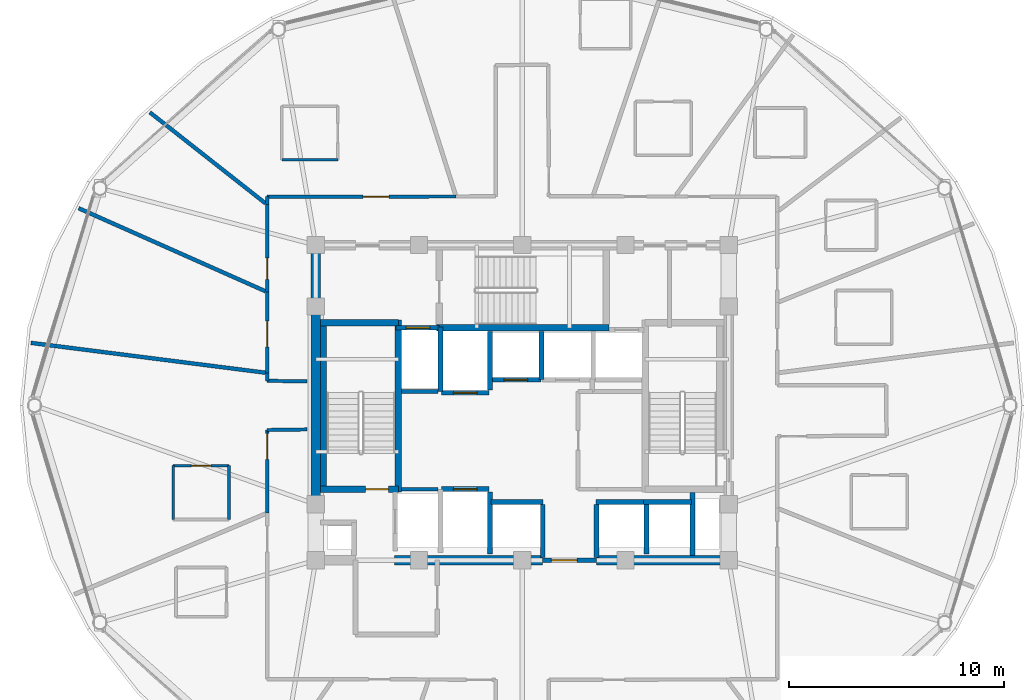
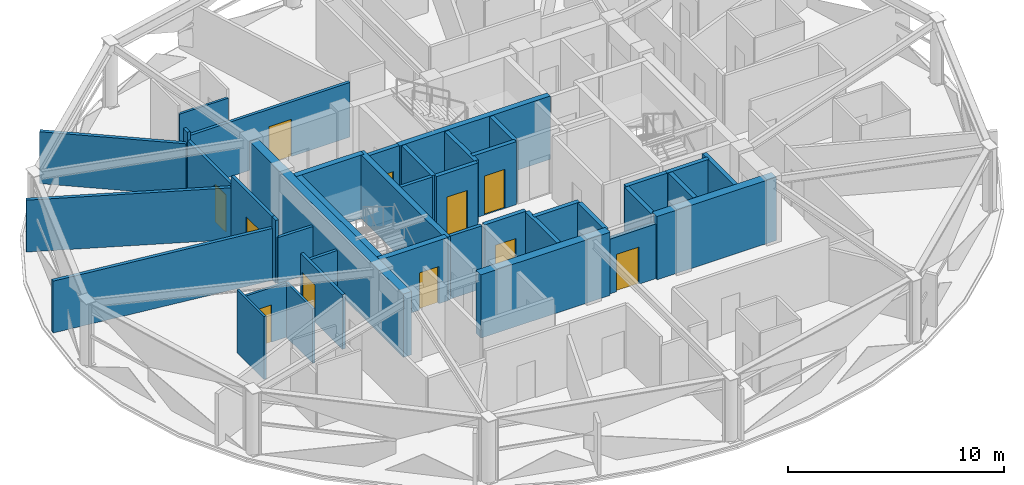
# One storey, part 23 of 30: 41 walls, 11 doors, 11 openings.
"""IFC4 building model written with IfcOpenShell, lengths in metres."""

from ifc_helpers import new_model, si_unit, direction, frame, frame_2d, origin, place, context, subcontext, project, spatial, rectangle, extrude, material, layer, layer_set, type_object, element, fill, save


model = new_model("IFC4")

# Units and contexts
model_context = context("Model", 3, precision=1e-05, world=origin(), true_north=direction((0.0, 1.0)))
body_context = subcontext(model_context, "Body", "Model", "MODEL_VIEW")
ifc_project = project(units=[si_unit("LENGTHUNIT", "METRE"), si_unit("AREAUNIT", "SQUARE_METRE"), si_unit("VOLUMEUNIT", "CUBIC_METRE"), si_unit("PLANEANGLEUNIT", "RADIAN"), si_unit("MASSUNIT", "GRAM", prefix="KILO")], contexts=[model_context])

# Site, building, storey
site_placement = place(None, origin())
site = spatial("IfcSite", under=ifc_project, at=site_placement, CompositionType="ELEMENT")
building_placement = place(site_placement, origin())
building = spatial("IfcBuilding", under=site, at=building_placement, Name="Vantalir Tower", CompositionType="ELEMENT")
storey_placement = place(building_placement, frame((0.0, 0.0, 193.64990234375)))
storey = spatial("IfcBuildingStorey", under=building, at=storey_placement, Name="L48", CompositionType="ELEMENT", Elevation=193.64990234375)

# Wall
ifc_material_1 = material(Name="Moisture-resistant en-suite partition", Category="gypsum")
ifc_layer_1 = layer(ifc_material_1, 0.125)
ifc_layer_set_1 = layer_set([ifc_layer_1], Name="Moisture-resistant en-suite partition")
wall_type_1 = type_object("IfcWallType", Name="WL-BATH-125", PredefinedType="PARTITIONING", material=ifc_layer_set_1)
wall_1_placement = place(storey_placement, frame((20.322998046875, 36.4130859375, 0.0), z_axis=(0.0, 0.0, 1.0), x_axis=(1.0, 0.0, 0.0)))
element("IfcWall", 1, at=wall_1_placement, inside=storey, type_object=wall_type_1, Name="L48 En-suite 06 South Wall", PredefinedType="PARTITIONING", context=body_context, shape_type="SweptSolid", body=[
    extrude(rectangle(XDim=2.60009765625, YDim=0.125, at=frame_2d((1.300048828125, 0.0))), origin(), (0.0, 0.0, 1.0), 3.0810546875),
])

# Wall, opening, door
wall_2_placement = place(storey_placement, frame((15.26806640625, 22.197021484375, 0.0), z_axis=(0.0, 0.0, 1.0), x_axis=(1.0, 0.0, 0.0)))
wall_2 = element("IfcWall", 2, at=wall_2_placement, inside=storey, type_object=wall_type_1, Name="L48 En-suite 09 North Wall", PredefinedType="PARTITIONING", context=body_context, shape_type="SweptSolid", body=[
    extrude(rectangle(XDim=2.599853515625, YDim=0.125, at=frame_2d((1.2998046875, 0.0))), origin(), (0.0, 0.0, 1.0), 3.0810546875),
])
opening_1_placement = place(wall_2_placement, frame((0.85009765625, 0.0, 0.0)))
opening_1 = element("IfcOpeningElement", 3, at=opening_1_placement, cuts=wall_2, Name="Opening D-WC", PredefinedType="OPENING", context=body_context, shape_type="SweptSolid", body=[
    extrude(rectangle(XDim=0.89990234375, YDim=2.10009765625, at=frame_2d((0.449951171875, 1.050048828125))), frame((0.0, 0.072509765625, 0.0), z_axis=(0.0, -1.0, 0.0), x_axis=(1.0, 0.0, 0.0)), (0.0, 0.0, 1.0), 0.14501953125),
])
ifc_material_2 = material(Name="Moisture-resistant hardwood door", Category="wood")
door_type_1 = type_object("IfcDoorType", Name="DR-ENSUITE-900", OperationType="NOTDEFINED", PredefinedType="DOOR", material=ifc_material_2)
door_1_placement = place(opening_1_placement, frame((0.89990234375, 0.0, 0.0), z_axis=(0.0, 0.0, 1.0), x_axis=(-1.0, 0.0, 0.0)))
door_1 = element("IfcDoor", 4, at=door_1_placement, inside=storey, type_object=door_type_1, Name="L48 En-suite 09 Door", OperationType="SINGLE_SWING_RIGHT", OverallHeight=2.10009765625, OverallWidth=0.89990234375, PredefinedType="DOOR", context=body_context, shape_type="SweptSolid", body=[
    extrude(rectangle(XDim=0.89990234375, YDim=2.10009765625, at=frame_2d((0.449951171875, 1.050048828125))), frame((0.0, 0.02490234375, 0.0), z_axis=(0.0, -1.0, 0.0), x_axis=(1.0, 0.0, 0.0)), (0.0, 0.0, 1.0), 0.050048828125),
])
fill(opening_1, door_1)

# Walls
wall_3_placement = place(storey_placement, frame((15.26806640625, 19.697021484375, 0.0), z_axis=(0.0, 0.0, 1.0), x_axis=(0.0, 1.0, 0.0)))
element("IfcWall", 5, at=wall_3_placement, inside=storey, type_object=wall_type_1, Name="L48 En-suite 09 West Wall", PredefinedType="PARTITIONING", context=body_context, shape_type="SweptSolid", body=[
    extrude(rectangle(XDim=2.5, YDim=0.125, at=frame_2d((1.25, 0.0))), origin(), (0.0, 0.0, 1.0), 3.550048828125),
])
wall_4_placement = place(storey_placement, frame((17.867919921875, 19.697021484375, 0.0), z_axis=(0.0, 0.0, 1.0), x_axis=(0.0, 1.0, 0.0)))
element("IfcWall", 6, at=wall_4_placement, inside=storey, type_object=wall_type_1, Name="L48 En-suite 09 East Wall", PredefinedType="PARTITIONING", context=body_context, shape_type="SweptSolid", body=[
    extrude(rectangle(XDim=2.5, YDim=0.125, at=frame_2d((1.25, 0.0))), origin(), (0.0, 0.0, 1.0), 3.0810546875),
])
ifc_material_3 = material(Name="Concrete C50/60", Category="concrete")
ifc_layer_2 = layer(ifc_material_3, 0.449951171875)
ifc_layer_set_2 = layer_set([ifc_layer_2], Name="Concrete C50/60")
wall_type_2 = type_object("IfcWallType", Name="WL-CORE-450", PredefinedType="SHEAR", material=ifc_layer_set_2)
wall_5_placement = place(storey_placement, frame((25.550048828125, 17.800048828125, 0.0), z_axis=(0.0, 0.0, 1.0), x_axis=(1.0, 0.0, 0.0)))
element("IfcWall", 7, at=wall_5_placement, inside=storey, type_object=wall_type_2, Name="L48 Core Shear Wall South-Mid", PredefinedType="SHEAR", context=body_context, shape_type="SweptSolid", body=[
    extrude(rectangle(XDim=6.89990234375, YDim=0.449951171875, at=frame_2d((3.449951171875, 0.0))), origin(), (0.0, 0.0, 1.0), 3.570068359375),
])
wall_6_placement = place(storey_placement, frame((34.949951171875, 17.800048828125, 0.0), z_axis=(0.0, 0.0, 1.0), x_axis=(1.0, 0.0, 0.0)))
element("IfcWall", 8, at=wall_6_placement, inside=storey, type_object=wall_type_2, Name="L48 Core Shear Wall South-East", PredefinedType="SHEAR", context=body_context, shape_type="SweptSolid", body=[
    extrude(rectangle(XDim=6.375, YDim=0.449951171875, at=frame_2d((3.1875, 0.0))), origin(), (0.0, 0.0, 1.0), 3.570068359375),
])
wall_7_placement = place(storey_placement, frame((21.89990234375, 18.02490234375, 0.0), z_axis=(0.0, 0.0, 1.0), x_axis=(0.0, 1.0, 0.0)))
element("IfcWall", 9, at=wall_7_placement, inside=storey, type_object=wall_type_2, Name="L48 Core Shear Wall West", PredefinedType="SHEAR", context=body_context, shape_type="SweptSolid", body=[
    extrude(rectangle(XDim=14.2001953125, YDim=0.449951171875, at=frame_2d((7.10009765625, 0.0))), origin(), (0.0, 0.0, 1.0), 3.570068359375),
])
ifc_material_4 = material(Name="Fire-rated hotel corridor acoustic partition", Category="gypsum")
ifc_layer_3 = layer(ifc_material_4, 0.159912109375)
ifc_layer_set_3 = layer_set([ifc_layer_3], Name="Fire-rated hotel corridor acoustic partition")
wall_type_3 = type_object("IfcWallType", Name="WL-CORR-160", PredefinedType="PARTITIONING", material=ifc_layer_set_3)
wall_8_placement = place(storey_placement, frame((21.4951171875, 26.116943359375, 0.0), z_axis=(0.0, 0.0, 1.0), x_axis=(-0.999908537082, 0.013524698532, 0.0)))
element("IfcWall", 10, at=wall_8_placement, inside=storey, type_object=wall_type_3, Name="L48 Corridor Partition 01", PredefinedType="PARTITIONING", context=body_context, shape_type="SweptSolid", body=[
    extrude(rectangle(XDim=1.859375, YDim=0.159912109375, at=frame_2d((0.9296875, 0.0))), origin(), (0.0, 0.0, 1.0), 2.59521484375),
])
wall_9_placement = place(storey_placement, frame((19.635986328125, 26.14208984375, 0.0), z_axis=(0.0, 0.0, 1.0), x_axis=(0.0, 1.0, 0.0)))
element("IfcWall", 11, at=wall_9_placement, inside=storey, type_object=wall_type_3, Name="L48 Corridor Partition 02", PredefinedType="PARTITIONING", context=body_context, shape_type="SweptSolid", body=[
    extrude(rectangle(XDim=0.366943359375, YDim=0.159912109375, at=frame_2d((0.18359375, 0.0))), origin(), (0.0, 0.0, 1.0), 3.550048828125),
])

# Wall, opening, door
wall_10_placement = place(storey_placement, frame((19.635986328125, 26.509033203125, 0.0), z_axis=(0.0, 0.0, 1.0), x_axis=(0.001038353649, 0.999999460911, 0.0)))
wall_10 = element("IfcWall", 12, at=wall_10_placement, inside=storey, type_object=wall_type_3, Name="L48 Corridor Partition 03", PredefinedType="PARTITIONING", context=body_context, shape_type="SweptSolid", body=[
    extrude(rectangle(XDim=3.761962890625, YDim=0.159912109375, at=frame_2d((1.880859375, 0.0))), origin(), (0.0, 0.0, 1.0), 3.550048828125),
])
opening_2_placement = place(wall_10_placement, frame((1.2060546875, 0.0, 0.0)))
opening_2 = element("IfcOpeningElement", 13, at=opening_2_placement, cuts=wall_10, Name="Opening D-STE", PredefinedType="OPENING", context=body_context, shape_type="SweptSolid", body=[
    extrude(rectangle(XDim=1.199951171875, YDim=2.10009765625, at=frame_2d((0.60009765625, 1.050048828125))), frame((0.0, 0.08984375, 0.0), z_axis=(0.0, -1.0, 0.0), x_axis=(1.0, 0.0, 0.0)), (0.0, 0.0, 1.0), 0.179931640625),
])
ifc_material_5 = material(Name="Solid-core teak veneer suite entrance door", Category="wood")
door_type_2 = type_object("IfcDoorType", Name="DR-SUITE-ENTRY-1200", OperationType="NOTDEFINED", PredefinedType="DOOR", material=ifc_material_5)
door_2_placement = place(opening_2_placement, origin())
door_2 = element("IfcDoor", 14, at=door_2_placement, inside=storey, type_object=door_type_2, Name="L48 Executive Sky Boardroom 08 Door", OperationType="SINGLE_SWING_RIGHT", OverallHeight=2.10009765625, OverallWidth=1.199951171875, PredefinedType="DOOR", context=body_context, shape_type="SweptSolid", body=[
    extrude(rectangle(XDim=1.199951171875, YDim=2.10009765625, at=frame_2d((0.60009765625, 1.050048828125))), frame((0.0, 0.02490234375, 0.0), z_axis=(0.0, -1.0, 0.0), x_axis=(1.0, 0.0, 0.0)), (0.0, 0.0, 1.0), 0.050048828125),
])
fill(opening_2, door_2)

wall_11_placement = place(storey_placement, frame((19.639892578125, 30.27099609375, 0.0), z_axis=(0.0, 0.0, 1.0), x_axis=(0.001022740411, 0.999999477001, 0.0)))
wall_11 = element("IfcWall", 15, at=wall_11_placement, inside=storey, type_object=wall_type_3, Name="L48 Corridor Partition 04", PredefinedType="PARTITIONING", context=body_context, shape_type="SweptSolid", body=[
    extrude(rectangle(XDim=4.05810546875, YDim=0.159912109375, at=frame_2d((2.029052734375, 0.0))), origin(), (0.0, 0.0, 1.0), 3.0810546875),
])
opening_3_placement = place(wall_11_placement, frame((0.592041015625, 0.0, 0.0)))
opening_3 = element("IfcOpeningElement", 16, at=opening_3_placement, cuts=wall_11, Name="Opening D-GUEST", PredefinedType="OPENING", context=body_context, shape_type="SweptSolid", body=[
    extrude(rectangle(XDim=1.0, YDim=2.10009765625, at=frame_2d((0.5, 1.050048828125))), frame((0.0, 0.08984375, 0.0), z_axis=(0.0, -1.0, 0.0), x_axis=(1.0, 0.0, 0.0)), (0.0, 0.0, 1.0), 0.179931640625),
])
ifc_material_6 = material(Name="Solid-core teak veneer acoustic fire door", Category="wood")
door_type_3 = type_object("IfcDoorType", Name="DR-GUEST-ENTRY-1000", OperationType="NOTDEFINED", PredefinedType="DOOR", material=ifc_material_6)
door_3_placement = place(opening_3_placement, origin())
door_3 = element("IfcDoor", 17, at=door_3_placement, inside=storey, type_object=door_type_3, Name="L48 Executive Business Study 07 Door", OperationType="SINGLE_SWING_LEFT", OverallHeight=2.10009765625, OverallWidth=1.0, PredefinedType="DOOR", context=body_context, shape_type="SweptSolid", body=[
    extrude(rectangle(XDim=1.0, YDim=2.10009765625, at=frame_2d((0.5, 1.050048828125))), frame((0.0, 0.02490234375, 0.0), z_axis=(0.0, -1.0, 0.0), x_axis=(1.0, 0.0, 0.0)), (0.0, 0.0, 1.0), 0.050048828125),
])
fill(opening_3, door_3)

# Wall
wall_12_placement = place(storey_placement, frame((19.64404296875, 34.3291015625, 0.0), z_axis=(0.0, 0.0, 1.0), x_axis=(0.0, 1.0, 0.0)))
element("IfcWall", 18, at=wall_12_placement, inside=storey, type_object=wall_type_3, Name="L48 Corridor Partition 05", PredefinedType="PARTITIONING", context=body_context, shape_type="SweptSolid", body=[
    extrude(rectangle(XDim=0.370849609375, YDim=0.159912109375, at=frame_2d((0.185546875, 0.0))), origin(), (0.0, 0.0, 1.0), 3.550048828125),
])

# Wall, opening, door
wall_13_placement = place(storey_placement, frame((19.64404296875, 34.699951171875, 0.0), z_axis=(0.0, 0.0, 1.0), x_axis=(0.999999071576, 0.001362661768, 0.0)))
wall_13 = element("IfcWall", 19, at=wall_13_placement, inside=storey, type_object=wall_type_3, Name="L48 Corridor Partition 06", PredefinedType="PARTITIONING", context=body_context, shape_type="SweptSolid", body=[
    extrude(rectangle(XDim=8.779052734375, YDim=0.159912109375, at=frame_2d((4.3896484375, 0.0))), origin(), (0.0, 0.0, 1.0), 3.0810546875),
])
opening_4_placement = place(wall_13_placement, frame((4.4560546875, 0.0, 0.0)))
opening_4 = element("IfcOpeningElement", 20, at=opening_4_placement, cuts=wall_13, Name="Opening D-STE", PredefinedType="OPENING", context=body_context, shape_type="SweptSolid", body=[
    extrude(rectangle(XDim=1.199951171875, YDim=2.10009765625, at=frame_2d((0.60009765625, 1.050048828125))), frame((0.0, 0.08984375, 0.0), z_axis=(0.0, -1.0, 0.0), x_axis=(1.0, 0.0, 0.0)), (0.0, 0.0, 1.0), 0.179931640625),
])
door_4_placement = place(opening_4_placement, origin())
door_4 = element("IfcDoor", 21, at=door_4_placement, inside=storey, type_object=door_type_2, Name="L48 Executive Club Hotel Suite 06 Door", OperationType="SINGLE_SWING_RIGHT", OverallHeight=2.10009765625, OverallWidth=1.199951171875, PredefinedType="DOOR", context=body_context, shape_type="SweptSolid", body=[
    extrude(rectangle(XDim=1.199951171875, YDim=2.10009765625, at=frame_2d((0.60009765625, 1.050048828125))), frame((0.0, 0.02490234375, 0.0), z_axis=(0.0, -1.0, 0.0), x_axis=(1.0, 0.0, 0.0)), (0.0, 0.0, 1.0), 0.050048828125),
])
fill(opening_4, door_4)

wall_14_placement = place(storey_placement, frame((19.636962890625, 19.992919921875, 0.0), z_axis=(0.0, 0.0, 1.0), x_axis=(-0.000505848813, 0.999999872058, 0.0)))
wall_14 = element("IfcWall", 22, at=wall_14_placement, inside=storey, type_object=wall_type_3, Name="L48 Corridor Partition 33", PredefinedType="PARTITIONING", context=body_context, shape_type="SweptSolid", body=[
    extrude(rectangle(XDim=3.861083984375, YDim=0.159912109375, at=frame_2d((1.9306640625, 0.0))), origin(), (0.0, 0.0, 1.0), 3.0810546875),
])
opening_5_placement = place(wall_14_placement, frame((2.5009765625, 0.0, 0.0)))
opening_5 = element("IfcOpeningElement", 23, at=opening_5_placement, cuts=wall_14, Name="Opening D-STE", PredefinedType="OPENING", context=body_context, shape_type="SweptSolid", body=[
    extrude(rectangle(XDim=1.199951171875, YDim=2.10009765625, at=frame_2d((0.60009765625, 1.050048828125))), frame((0.0, 0.08984375, 0.0), z_axis=(0.0, -1.0, 0.0), x_axis=(1.0, 0.0, 0.0)), (0.0, 0.0, 1.0), 0.179931640625),
])
door_5_placement = place(opening_5_placement, origin())
door_5 = element("IfcDoor", 24, at=door_5_placement, inside=storey, type_object=door_type_2, Name="L48 Executive Club Hotel Suite 09 Door", OperationType="SINGLE_SWING_LEFT", OverallHeight=2.10009765625, OverallWidth=1.199951171875, PredefinedType="DOOR", context=body_context, shape_type="SweptSolid", body=[
    extrude(rectangle(XDim=1.199951171875, YDim=2.10009765625, at=frame_2d((0.60009765625, 1.050048828125))), frame((0.0, 0.02490234375, 0.0), z_axis=(0.0, -1.0, 0.0), x_axis=(1.0, 0.0, 0.0)), (0.0, 0.0, 1.0), 0.050048828125),
])
fill(opening_5, door_5)

# Walls
wall_15_placement = place(storey_placement, frame((19.635009765625, 23.85400390625, 0.0), z_axis=(0.0, 0.0, 1.0), x_axis=(0.999886107392, 0.015092125259, 0.0)))
element("IfcWall", 25, at=wall_15_placement, inside=storey, type_object=wall_type_3, Name="L48 Corridor Partition 34", PredefinedType="PARTITIONING", context=body_context, shape_type="SweptSolid", body=[
    extrude(rectangle(XDim=1.8603515625, YDim=0.159912109375, at=frame_2d((0.93017578125, 0.0))), origin(), (0.0, 0.0, 1.0), 2.59521484375),
])
ifc_material_7 = material(Name="Concrete blockwork with fireboard lining", Category="masonry")
ifc_layer_4 = layer(ifc_material_7, 0.219970703125)
ifc_layer_set_4 = layer_set([ifc_layer_4], Name="Concrete blockwork with fireboard lining")
wall_type_4 = type_object("IfcWallType", Name="WL-FFL-220", PredefinedType="PARTITIONING", material=ifc_layer_set_4)
wall_16_placement = place(storey_placement, frame((30.0, 18.080078125, 0.0), z_axis=(0.0, 0.0, 1.0), x_axis=(0.0, 1.0, 0.0)))
element("IfcWall", 26, at=wall_16_placement, inside=storey, type_object=wall_type_4, Name="L48 Service Lift SV1 East Shaft Wall", PredefinedType="PARTITIONING", context=body_context, shape_type="SweptSolid", body=[
    extrude(rectangle(XDim=2.89990234375, YDim=0.219970703125, at=frame_2d((1.449951171875, 0.0))), origin(), (0.0, 0.0, 1.0), 3.545166015625),
])
for number, where, z_axis, x_axis, name in (
    (27, (32.449951171875, 17.919921875, 0.0), (0.0, 0.0, 1.0), (0.0, 1.0, 0.0), "L48 Shuttle Lift PL-X1 East Shaft Cheek"),
    (28, (34.949951171875, 17.919921875, 0.0), (0.0, 0.0, 1.0), (0.0, 1.0, 0.0), "L48 Shuttle Lift PL-X3 West Shaft Cheek"),
):
    element("IfcWall", number, at=place(storey_placement, frame(where, z_axis=z_axis, x_axis=x_axis)), inside=storey, type_object=wall_type_4, Name=name, PredefinedType="PARTITIONING", context=body_context, shape_type="SweptSolid", body=[
        extrude(rectangle(XDim=2.469970703125, YDim=0.219970703125, at=frame_2d((1.23486328125, 0.0))), origin(), (0.0, 0.0, 1.0), 3.545166015625),
    ])
wall_17_placement = place(storey_placement, frame((37.27490234375, 18.080078125, 0.0), z_axis=(0.0, 0.0, 1.0), x_axis=(0.0, 1.0, 0.0)))
element("IfcWall", 29, at=wall_17_placement, inside=storey, type_object=wall_type_4, Name="L48 Shuttle Lift PL-X2/X3 Shaft Divider", PredefinedType="PARTITIONING", context=body_context, shape_type="SweptSolid", body=[
    extrude(rectangle(XDim=2.309814453125, YDim=0.219970703125, at=frame_2d((1.15478515625, 0.0))), origin(), (0.0, 0.0, 1.0), 3.545166015625),
])
wall_18_placement = place(storey_placement, frame((30.0, 25.7099609375, 0.0), z_axis=(0.0, 0.0, 1.0), x_axis=(0.0, 1.0, 0.0)))
element("IfcWall", 30, at=wall_18_placement, inside=storey, type_object=wall_type_4, Name="L48 Service Lift SV2 East Shaft Wall", PredefinedType="PARTITIONING", context=body_context, shape_type="SweptSolid", body=[
    extrude(rectangle(XDim=2.72998046875, YDim=0.219970703125, at=frame_2d((1.364990234375, 0.0))), origin(), (0.0, 0.0, 1.0), 3.545166015625),
])
wall_19_placement = place(storey_placement, frame((32.39990234375, 26.199951171875, 0.0), z_axis=(0.0, 0.0, 1.0), x_axis=(0.0, 1.0, 0.0)))
element("IfcWall", 31, at=wall_19_placement, inside=storey, type_object=wall_type_4, Name="L48 High-Rise Lift PL-H1/H2 Shaft Divider", PredefinedType="PARTITIONING", context=body_context, shape_type="SweptSolid", body=[
    extrude(rectangle(XDim=2.239990234375, YDim=0.219970703125, at=frame_2d((1.1201171875, 0.0))), origin(), (0.0, 0.0, 1.0), 3.545166015625),
])

# Wall, opening, door
wall_20_placement = place(storey_placement, frame((32.449951171875, 17.800048828125, 0.0), z_axis=(0.0, 0.0, 1.0), x_axis=(1.0, 0.0, 0.0)))
wall_20 = element("IfcWall", 32, at=wall_20_placement, inside=storey, type_object=wall_type_4, Name="L48 Passenger Lift Lobby South Wall", PredefinedType="PARTITIONING", context=body_context, shape_type="SweptSolid", body=[
    extrude(rectangle(XDim=2.5, YDim=0.219970703125, at=frame_2d((1.25, 0.0))), origin(), (0.0, 0.0, 1.0), 3.0810546875),
])
opening_6_placement = place(wall_20_placement, frame((0.39990234375, 0.0, 0.0)))
opening_6 = element("IfcOpeningElement", 33, at=opening_6_placement, cuts=wall_20, Name="Opening D-STE", PredefinedType="OPENING", context=body_context, shape_type="SweptSolid", body=[
    extrude(rectangle(XDim=1.199951171875, YDim=2.10009765625, at=frame_2d((0.60009765625, 1.050048828125))), frame((0.0, 0.119873046875, 0.0), z_axis=(0.0, -1.0, 0.0), x_axis=(1.0, 0.0, 0.0)), (0.0, 0.0, 1.0), 0.239990234375),
])
door_6_placement = place(opening_6_placement, origin())
door_6 = element("IfcDoor", 34, at=door_6_placement, inside=storey, type_object=door_type_2, Name="L48 Passenger Lift Lobby Concourse Door", OperationType="SINGLE_SWING_LEFT", OverallHeight=2.10009765625, OverallWidth=1.199951171875, PredefinedType="DOOR", context=body_context, shape_type="SweptSolid", body=[
    extrude(rectangle(XDim=1.199951171875, YDim=2.10009765625, at=frame_2d((0.60009765625, 1.050048828125))), frame((0.0, 0.02490234375, 0.0), z_axis=(0.0, -1.0, 0.0), x_axis=(1.0, 0.0, 0.0)), (0.0, 0.0, 1.0), 0.050048828125),
])
fill(opening_6, door_6)

# Wall
wall_21_placement = place(storey_placement, frame((39.419921875, 18.02490234375, 0.0), z_axis=(0.0, 0.0, 1.0), x_axis=(0.0, 1.0, 0.0)))
element("IfcWall", 35, at=wall_21_placement, inside=storey, type_object=wall_type_4, Name="L48 East MEP Riser Wall W", PredefinedType="PARTITIONING", context=body_context, shape_type="SweptSolid", body=[
    extrude(rectangle(XDim=2.925048828125, YDim=0.219970703125, at=frame_2d((1.46240234375, 0.0))), origin(), (0.0, 0.0, 1.0), 3.550048828125),
])

# Wall, opening, door
wall_22_placement = place(storey_placement, frame((25.639892578125, 28.610107421875, 0.0), z_axis=(0.0, 0.0, 1.0), x_axis=(1.0, 0.0, 0.0)))
wall_22 = element("IfcWall", 36, at=wall_22_placement, inside=storey, type_object=wall_type_4, Name="L48 Lift FL2 Shaft Front Wall", PredefinedType="PARTITIONING", context=body_context, shape_type="SweptSolid", body=[
    extrude(rectangle(XDim=2.02001953125, YDim=0.219970703125, at=frame_2d((1.010009765625, 0.0))), origin(), (0.0, 0.0, 1.0), 3.550048828125),
])
opening_7_placement = place(wall_22_placement, frame((0.4599609375, 0.0, 0.0)))
opening_7 = element("IfcOpeningElement", 37, at=opening_7_placement, cuts=wall_22, Name="Opening LD-FL2", PredefinedType="OPENING", context=body_context, shape_type="SweptSolid", body=[
    extrude(rectangle(XDim=1.10009765625, YDim=2.199951171875, at=frame_2d((0.550048828125, 1.10009765625))), frame((0.0, 0.119873046875, 0.0), z_axis=(0.0, -1.0, 0.0), x_axis=(1.0, 0.0, 0.0)), (0.0, 0.0, 1.0), 0.239990234375),
])
ifc_material_8 = material(Name="Brushed stainless-steel sliding lift landing door", Category="steel")
door_type_4 = type_object("IfcDoorType", Name="DR-LIFT-LANDING-1100", OperationType="DOUBLE_DOOR_SLIDING", PredefinedType="DOOR", material=ifc_material_8)
door_7_placement = place(opening_7_placement, origin())
door_7 = element("IfcDoor", 38, at=door_7_placement, inside=storey, type_object=door_type_4, Name="L48 Lift Landing Door FL2", OperationType="DOUBLE_DOOR_SLIDING", OverallHeight=2.199951171875, OverallWidth=1.10009765625, PredefinedType="DOOR", context=body_context, shape_type="SweptSolid", body=[
    extrude(rectangle(XDim=1.10009765625, YDim=2.199951171875, at=frame_2d((0.550048828125, 1.10009765625))), frame((0.0, 0.02490234375, 0.0), z_axis=(0.0, -1.0, 0.0), x_axis=(1.0, 0.0, 0.0)), (0.0, 0.0, 1.0), 0.050048828125),
])
fill(opening_7, door_7)

wall_23_placement = place(storey_placement, frame((27.739990234375, 21.110107421875, 0.0), z_axis=(0.0, 0.0, 1.0), x_axis=(1.0, 0.0, 0.0)))
wall_23 = element("IfcWall", 39, at=wall_23_placement, inside=storey, type_object=wall_type_4, Name="L48 Lift SV1 Shaft Front Wall", PredefinedType="PARTITIONING", context=body_context, shape_type="SweptSolid", body=[
    extrude(rectangle(XDim=2.219970703125, YDim=0.219970703125, at=frame_2d((1.10986328125, 0.0))), origin(), (0.0, 0.0, 1.0), 3.550048828125),
])
opening_8_placement = place(wall_23_placement, frame((0.56005859375, 0.0, 0.0)))
opening_8 = element("IfcOpeningElement", 40, at=opening_8_placement, cuts=wall_23, Name="Opening LD-SV1", PredefinedType="OPENING", context=body_context, shape_type="SweptSolid", body=[
    extrude(rectangle(XDim=1.10009765625, YDim=2.199951171875, at=frame_2d((0.550048828125, 1.10009765625))), frame((0.0, 0.119873046875, 0.0), z_axis=(0.0, -1.0, 0.0), x_axis=(1.0, 0.0, 0.0)), (0.0, 0.0, 1.0), 0.239990234375),
])
door_8_placement = place(opening_8_placement, origin())
door_8 = element("IfcDoor", 41, at=door_8_placement, inside=storey, type_object=door_type_4, Name="L48 Lift Landing Door SV1", OperationType="DOUBLE_DOOR_SLIDING", OverallHeight=2.199951171875, OverallWidth=1.10009765625, PredefinedType="DOOR", context=body_context, shape_type="SweptSolid", body=[
    extrude(rectangle(XDim=1.10009765625, YDim=2.199951171875, at=frame_2d((0.550048828125, 1.10009765625))), frame((0.0, 0.02490234375, 0.0), z_axis=(0.0, -1.0, 0.0), x_axis=(1.0, 0.0, 0.0)), (0.0, 0.0, 1.0), 0.050048828125),
])
fill(opening_8, door_8)

wall_24_placement = place(storey_placement, frame((27.739990234375, 25.590087890625, 0.0), z_axis=(0.0, 0.0, 1.0), x_axis=(1.0, 0.0, 0.0)))
wall_24 = element("IfcWall", 42, at=wall_24_placement, inside=storey, type_object=wall_type_4, Name="L48 Lift SV2 Shaft Front Wall", PredefinedType="PARTITIONING", context=body_context, shape_type="SweptSolid", body=[
    extrude(rectangle(XDim=2.219970703125, YDim=0.219970703125, at=frame_2d((1.10986328125, 0.0))), origin(), (0.0, 0.0, 1.0), 3.550048828125),
])
opening_9_placement = place(wall_24_placement, frame((0.56005859375, 0.0, 0.0)))
opening_9 = element("IfcOpeningElement", 43, at=opening_9_placement, cuts=wall_24, Name="Opening LD-SV2", PredefinedType="OPENING", context=body_context, shape_type="SweptSolid", body=[
    extrude(rectangle(XDim=1.10009765625, YDim=2.199951171875, at=frame_2d((0.550048828125, 1.10009765625))), frame((0.0, 0.119873046875, 0.0), z_axis=(0.0, -1.0, 0.0), x_axis=(1.0, 0.0, 0.0)), (0.0, 0.0, 1.0), 0.239990234375),
])
door_9_placement = place(opening_9_placement, frame((1.10009765625, 0.0, 0.0), z_axis=(0.0, 0.0, 1.0), x_axis=(-1.0, 0.0, 0.0)))
door_9 = element("IfcDoor", 44, at=door_9_placement, inside=storey, type_object=door_type_4, Name="L48 Lift Landing Door SV2", OperationType="DOUBLE_DOOR_SLIDING", OverallHeight=2.199951171875, OverallWidth=1.10009765625, PredefinedType="DOOR", context=body_context, shape_type="SweptSolid", body=[
    extrude(rectangle(XDim=1.10009765625, YDim=2.199951171875, at=frame_2d((0.550048828125, 1.10009765625))), frame((0.0, 0.02490234375, 0.0), z_axis=(0.0, -1.0, 0.0), x_axis=(1.0, 0.0, 0.0)), (0.0, 0.0, 1.0), 0.050048828125),
])
fill(opening_9, door_9)

# Walls
wall_25_placement = place(storey_placement, frame((30.0400390625, 20.510009765625, 0.0), z_axis=(0.0, 0.0, 1.0), x_axis=(1.0, 0.0, 0.0)))
element("IfcWall", 45, at=wall_25_placement, inside=storey, type_object=wall_type_4, Name="L48 Lift PL-X1 Shaft Front Wall", PredefinedType="PARTITIONING", context=body_context, shape_type="SweptSolid", body=[
    extrude(rectangle(XDim=2.419921875, YDim=0.219970703125, at=frame_2d((1.2099609375, 0.0))), origin(), (0.0, 0.0, 1.0), 3.550048828125),
])
for number, where, z_axis, x_axis, name in (
    (46, (37.139892578125, 20.510009765625, 0.0), (0.0, 0.0, 1.0), (1.0, 0.0, 0.0), "L48 Lift PL-X2 Shaft Rear Wall"),
    (47, (34.93994140625, 20.510009765625, 0.0), (0.0, 0.0, 1.0), (1.0, 0.0, 0.0), "L48 Lift PL-X3 Shaft Front Wall"),
):
    element("IfcWall", number, at=place(storey_placement, frame(where, z_axis=z_axis, x_axis=x_axis)), inside=storey, type_object=wall_type_4, Name=name, PredefinedType="PARTITIONING", context=body_context, shape_type="SweptSolid", body=[
        extrude(rectangle(XDim=2.239990234375, YDim=0.219970703125, at=frame_2d((1.1201171875, 0.0))), origin(), (0.0, 0.0, 1.0), 3.550048828125),
    ])

# Wall, opening, door
wall_26_placement = place(storey_placement, frame((30.0400390625, 26.18994140625, 0.0), z_axis=(0.0, 0.0, 1.0), x_axis=(1.0, 0.0, 0.0)))
wall_26 = element("IfcWall", 48, at=wall_26_placement, inside=storey, type_object=wall_type_4, Name="L48 Lift PL-H1 Shaft Front Wall", PredefinedType="PARTITIONING", context=body_context, shape_type="SweptSolid", body=[
    extrude(rectangle(XDim=2.320068359375, YDim=0.219970703125, at=frame_2d((1.16015625, 0.0))), origin(), (0.0, 0.0, 1.0), 3.550048828125),
])
opening_10_placement = place(wall_26_placement, frame((0.610107421875, 0.0, 0.0)))
opening_10 = element("IfcOpeningElement", 49, at=opening_10_placement, cuts=wall_26, Name="Opening LD-PL-H1", PredefinedType="OPENING", context=body_context, shape_type="SweptSolid", body=[
    extrude(rectangle(XDim=1.10009765625, YDim=2.199951171875, at=frame_2d((0.550048828125, 1.10009765625))), frame((0.0, 0.119873046875, 0.0), z_axis=(0.0, -1.0, 0.0), x_axis=(1.0, 0.0, 0.0)), (0.0, 0.0, 1.0), 0.239990234375),
])
door_10_placement = place(opening_10_placement, frame((1.10009765625, 0.0, 0.0), z_axis=(0.0, 0.0, 1.0), x_axis=(-1.0, 0.0, 0.0)))
door_10 = element("IfcDoor", 50, at=door_10_placement, inside=storey, type_object=door_type_4, Name="L48 Lift Landing Door PL-H1", OperationType="DOUBLE_DOOR_SLIDING", OverallHeight=2.199951171875, OverallWidth=1.10009765625, PredefinedType="DOOR", context=body_context, shape_type="SweptSolid", body=[
    extrude(rectangle(XDim=1.10009765625, YDim=2.199951171875, at=frame_2d((0.550048828125, 1.10009765625))), frame((0.0, 0.02490234375, 0.0), z_axis=(0.0, -1.0, 0.0), x_axis=(1.0, 0.0, 0.0)), (0.0, 0.0, 1.0), 0.050048828125),
])
fill(opening_10, door_10)

# Walls
wall_27_placement = place(storey_placement, frame((27.699951171875, 25.64990234375, 0.0), z_axis=(0.0, 0.0, 1.0), x_axis=(0.0, 1.0, 0.0)))
element("IfcWall", 51, at=wall_27_placement, inside=storey, type_object=wall_type_4, Name="L48 Fire Lift FL2 Dividing Wall", PredefinedType="PARTITIONING", context=body_context, shape_type="SweptSolid", body=[
    extrude(rectangle(XDim=3.0, YDim=0.219970703125, at=frame_2d((1.5, 0.0))), origin(), (0.0, 0.0, 1.0), 3.550048828125),
])
ifc_material_9 = material(Name="Twin-stud acoustic fire-rated gypsum partition", Category="gypsum")
ifc_layer_5 = layer(ifc_material_9, 0.179931640625)
ifc_layer_set_5 = layer_set([ifc_layer_5], Name="Twin-stud acoustic fire-rated gypsum partition")
wall_type_5 = type_object("IfcWallType", Name="WL-GUEST-180", PredefinedType="PARTITIONING", material=ifc_layer_set_5)
for number, where, z_axis, x_axis, name in (
    (52, (25.889892578125, 21.10009765625, 0.0), (0.0, 0.0, 1.0), (1.0, 0.0, 0.0), "L48 Freed West Core South Wall"),
    (53, (25.889892578125, 25.64990234375, 0.0), (0.0, 0.0, 1.0), (1.0, 0.0, 0.0), "L48 Freed West Core North Wall"),
):
    element("IfcWall", number, at=place(storey_placement, frame(where, z_axis=z_axis, x_axis=x_axis)), inside=storey, type_object=wall_type_5, Name=name, PredefinedType="PARTITIONING", context=body_context, shape_type="SweptSolid", body=[
        extrude(rectangle(XDim=1.7001953125, YDim=0.179931640625, at=frame_2d((0.85009765625, 0.0))), origin(), (0.0, 0.0, 1.0), 3.550048828125),
    ])
wall_28_placement = place(storey_placement, frame((19.56005859375, 34.39501953125, 0.0), z_axis=(0.0, 0.0, 1.0), x_axis=(-0.785921713445, 0.618326014603, 0.0)))
element("IfcWall", 54, at=wall_28_placement, inside=storey, type_object=wall_type_5, Name="L48 Radial Suite Partition 07", PredefinedType="PARTITIONING", context=body_context, shape_type="SweptSolid", body=[
    extrude(rectangle(XDim=6.837890625, YDim=0.179931640625, at=frame_2d((3.4189453125, 0.0))), origin(), (0.0, 0.0, 1.0), 2.925048828125),
])
wall_29_placement = place(storey_placement, frame((19.56005859375, 30.305908203125, 0.0), z_axis=(0.0, 0.0, 1.0), x_axis=(-0.913838017628, 0.406078905557, 0.0)))
element("IfcWall", 55, at=wall_29_placement, inside=storey, type_object=wall_type_5, Name="L48 Radial Suite Partition 08", PredefinedType="PARTITIONING", context=body_context, shape_type="SweptSolid", body=[
    extrude(rectangle(XDim=9.50830078125, YDim=0.179931640625, at=frame_2d((4.754150390625, 0.0))), origin(), (0.0, 0.0, 1.0), 2.925048828125),
])
wall_30_placement = place(storey_placement, frame((19.56005859375, 26.51904296875, 0.0), z_axis=(0.0, 0.0, 1.0), x_axis=(-0.99200307121, 0.12621373424, 0.0)))
element("IfcWall", 56, at=wall_30_placement, inside=storey, type_object=wall_type_5, Name="L48 Radial Suite Partition 09", PredefinedType="PARTITIONING", context=body_context, shape_type="SweptSolid", body=[
    extrude(rectangle(XDim=10.989013671875, YDim=0.179931640625, at=frame_2d((5.49462890625, 0.0))), origin(), (0.0, 0.0, 1.0), 2.925048828125),
])

# Wall, opening, door
ifc_layer_6 = layer(ifc_material_3, 0.300048828125)
ifc_layer_set_6 = layer_set([ifc_layer_6], Name="Concrete C50/60")
wall_type_6 = type_object("IfcWallType", Name="WL-STAIR-300", PredefinedType="SHEAR", material=ifc_layer_set_6)
wall_31_placement = place(storey_placement, frame((22.125, 21.10009765625, 0.0), z_axis=(0.0, 0.0, 1.0), x_axis=(1.0, 0.0, 0.0)))
wall_31 = element("IfcWall", 57, at=wall_31_placement, inside=storey, type_object=wall_type_6, Name="L48 Stair ST1 South Wall", PredefinedType="SHEAR", context=body_context, shape_type="SweptSolid", body=[
    extrude(rectangle(XDim=3.614990234375, YDim=0.300048828125, at=frame_2d((1.8076171875, 0.0))), origin(), (0.0, 0.0, 1.0), 3.570068359375),
])
opening_11_placement = place(wall_31_placement, frame((2.094970703125, 0.0, 0.0)))
opening_11 = element("IfcOpeningElement", 58, at=opening_11_placement, cuts=wall_31, Name="Opening D-ST", PredefinedType="OPENING", context=body_context, shape_type="SweptSolid", body=[
    extrude(rectangle(XDim=1.050048828125, YDim=2.10009765625, at=frame_2d((0.52490234375, 1.050048828125))), frame((0.0, 0.159912109375, 0.0), z_axis=(0.0, -1.0, 0.0), x_axis=(1.0, 0.0, 0.0)), (0.0, 0.0, 1.0), 0.320068359375),
])
ifc_material_10 = material(Name="Fire-rated steel door leaf", Category="steel")
door_type_5 = type_object("IfcDoorType", Name="DR-FIRE-STAIR-1050", OperationType="NOTDEFINED", PredefinedType="DOOR", material=ifc_material_10)
door_11_placement = place(opening_11_placement, origin())
door_11 = element("IfcDoor", 59, at=door_11_placement, inside=storey, type_object=door_type_5, Name="L48 Exit Stair ST1 Fire Door", OperationType="SINGLE_SWING_LEFT", OverallHeight=2.10009765625, OverallWidth=1.050048828125, PredefinedType="DOOR", context=body_context, shape_type="SweptSolid", body=[
    extrude(rectangle(XDim=1.050048828125, YDim=2.10009765625, at=frame_2d((0.52490234375, 1.050048828125))), frame((0.0, 0.02490234375, 0.0), z_axis=(0.0, -1.0, 0.0), x_axis=(1.0, 0.0, 0.0)), (0.0, 0.0, 1.0), 0.050048828125),
])
fill(opening_11, door_11)

# Walls
wall_32_placement = place(storey_placement, frame((22.125, 28.85009765625, 0.0), z_axis=(0.0, 0.0, 1.0), x_axis=(1.0, 0.0, 0.0)))
element("IfcWall", 60, at=wall_32_placement, inside=storey, type_object=wall_type_6, Name="L48 Stair ST1 North Wall", PredefinedType="SHEAR", context=body_context, shape_type="SweptSolid", body=[
    extrude(rectangle(XDim=3.614990234375, YDim=0.300048828125, at=frame_2d((1.8076171875, 0.0))), origin(), (0.0, 0.0, 1.0), 3.570068359375),
])
wall_33_placement = place(storey_placement, frame((25.739990234375, 20.97998046875, 0.0), z_axis=(0.0, 0.0, 1.0), x_axis=(0.0, 1.0, 0.0)))
element("IfcWall", 61, at=wall_33_placement, inside=storey, type_object=wall_type_6, Name="L48 Stair ST1 East Wall", PredefinedType="SHEAR", context=body_context, shape_type="SweptSolid", body=[
    extrude(rectangle(XDim=7.989990234375, YDim=0.300048828125, at=frame_2d((3.9951171875, 0.0))), origin(), (0.0, 0.0, 1.0), 3.570068359375),
])
wall_34_placement = place(storey_placement, frame((22.260009765625, 21.10009765625, 0.0), z_axis=(0.0, 0.0, 1.0), x_axis=(0.0, 1.0, 0.0)))
element("IfcWall", 62, at=wall_34_placement, inside=storey, type_object=wall_type_6, Name="L48 Stair ST1 West Liner Wall", PredefinedType="SHEAR", context=body_context, shape_type="SweptSolid", body=[
    extrude(rectangle(XDim=7.75, YDim=0.300048828125, at=frame_2d((3.875, 0.0))), origin(), (0.0, 0.0, 1.0), 3.570068359375),
])
wall_35_placement = place(storey_placement, frame((27.510009765625, 28.60009765625, 0.0), z_axis=(0.0, 0.0, 1.0), x_axis=(1.0, 0.0, 0.0)))
element("IfcWall", 63, at=wall_35_placement, inside=storey, type_object=wall_type_6, Name="L48 Stair ST3 South Wall", PredefinedType="SHEAR", context=body_context, shape_type="SweptSolid", body=[
    extrude(rectangle(XDim=8.030029296875, YDim=0.300048828125, at=frame_2d((4.01513671875, 0.0))), origin(), (0.0, 0.0, 1.0), 3.570068359375),
])

save(model, "model.ifc")
